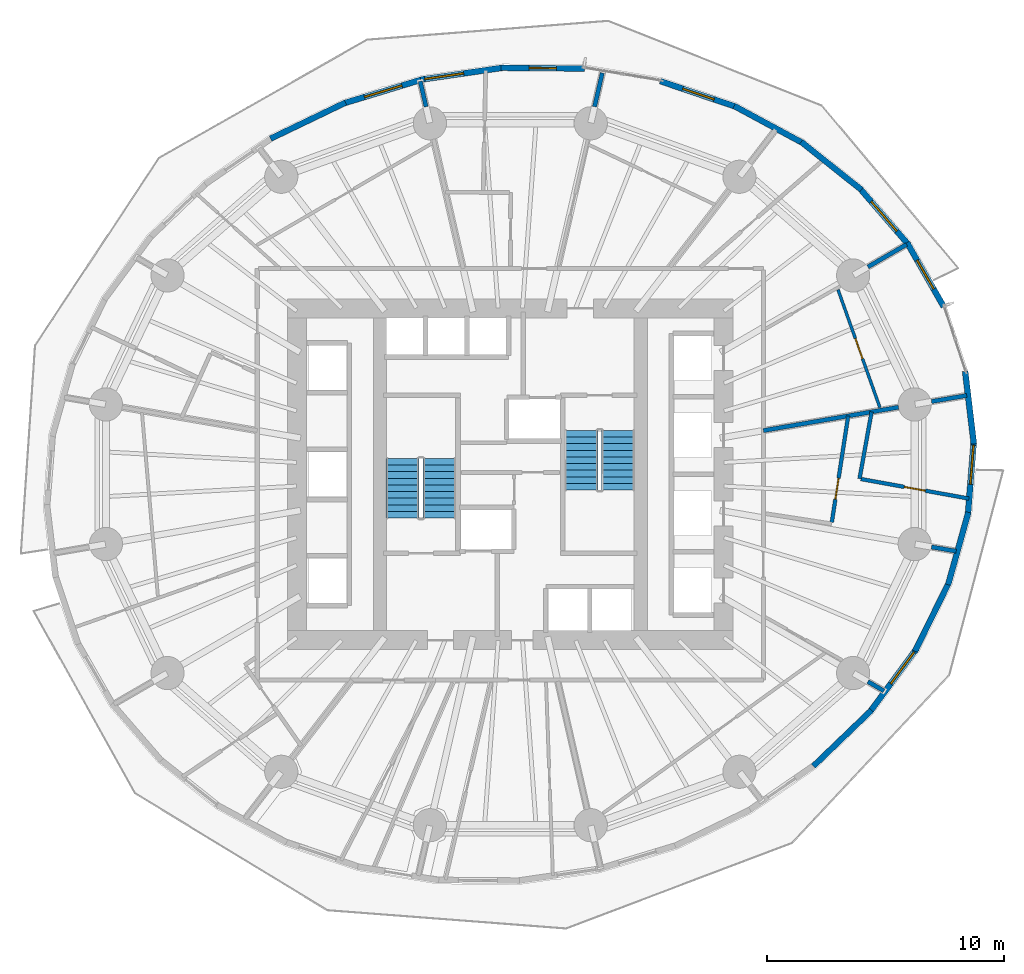
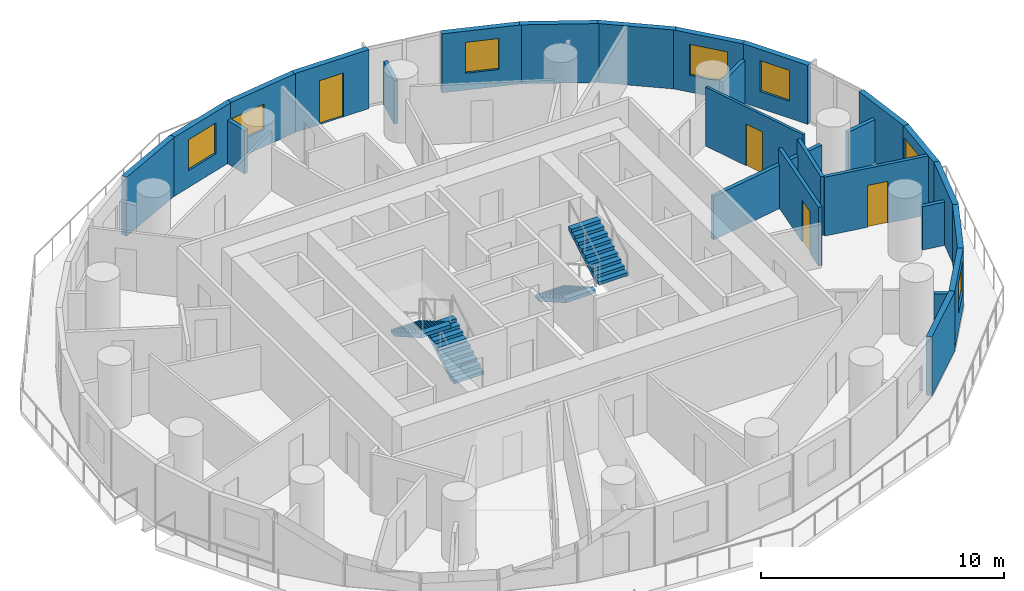
# One storey, part 8 of 13: 26 walls, 7 windows, 4 doors, 4 stair flights, 11 openings, 2 elements without a shape of their own.
"""IFC4 building model written with IfcOpenShell, lengths in metres."""

from ifc_helpers import new_model, si_unit, direction, frame, frame_2d, origin, place, context, subcontext, project, spatial, polyline, rectangle, outline, extrude, material, layer, layer_set, type_object, element, fill, aggregate, save


model = new_model("IFC4")

# Units and contexts
model_context = context("Model", 3, precision=1e-05, world=origin(), true_north=direction((0.0, 1.0)))
body_context = subcontext(model_context, "Body", "Model", "MODEL_VIEW")
ifc_project = project(units=[si_unit("LENGTHUNIT", "METRE"), si_unit("AREAUNIT", "SQUARE_METRE"), si_unit("VOLUMEUNIT", "CUBIC_METRE"), si_unit("PLANEANGLEUNIT", "RADIAN"), si_unit("MASSUNIT", "GRAM", prefix="KILO")], contexts=[model_context])

# Site, building, storey
site_placement = place(None, origin())
site = spatial("IfcSite", under=ifc_project, at=site_placement, CompositionType="ELEMENT")
building_placement = place(site_placement, origin())
building = spatial("IfcBuilding", under=site, at=building_placement, Name="Veldorim Arch Residences", CompositionType="ELEMENT")
storey_placement = place(building_placement, frame((0.0, 0.0, 56.800048828125)))
storey = spatial("IfcBuildingStorey", under=building, at=storey_placement, Name="L16", CompositionType="ELEMENT", Elevation=56.800048828125)

# Wall, opening, door
ifc_material_1 = material(Name="Acoustic Gypsum Board", Category="gypsum")
ifc_layer_1 = layer(ifc_material_1, 0.125, Name="Acoustic Stud Room Partition Wall 125")
ifc_layer_set_1 = layer_set([ifc_layer_1], Name="Acoustic Gypsum Board")
wall_type_1 = type_object("IfcWallType", Name="Acoustic Stud Room Partition Wall 125", PredefinedType="PARTITIONING", material=ifc_layer_set_1)
wall_1_placement = place(storey_placement, frame((45.82958984375, 31.790283203125, 0.0), z_axis=(0.0, 0.0, 1.0), x_axis=(0.334664074365, -0.94233749651, 0.0)))
wall_1 = element("IfcWall", 1, at=wall_1_placement, inside=storey, type_object=wall_type_1, Name="L16 interior wall WL-RES-L16-026", PredefinedType="PARTITIONING", context=body_context, shape_type="SweptSolid", body=[
    extrude(rectangle(XDim=5.282470703125, YDim=0.125, at=frame_2d((2.64111328125, 0.0))), origin(), (0.0, 0.0, 1.0), 2.954833984375),
])
opening_1_placement = place(wall_1_placement, frame((2.191162109375, 0.0, 0.0)))
opening_1 = element("IfcOpeningElement", 2, at=opening_1_placement, cuts=wall_1, Name="Opening DR-INT", PredefinedType="OPENING", context=body_context, shape_type="SweptSolid", body=[
    extrude(rectangle(XDim=0.89990234375, YDim=2.10009765625, at=frame_2d((0.449951171875, 1.050048828125))), frame((0.0, 0.072509765625, 0.0), z_axis=(0.0, -1.0, 0.0), x_axis=(1.0, 0.0, 0.0)), (0.0, 0.0, 1.0), 0.14501953125),
])
ifc_material_2 = material(Name="Engineered Timber", Category="wood")
door_type_1 = type_object("IfcDoorType", Name="Apartment Internal Room Timber Door 900x2100", OperationType="SINGLE_SWING_LEFT", PredefinedType="DOOR", material=ifc_material_2)
door_1_placement = place(opening_1_placement, origin())
door_1 = element("IfcDoor", 3, at=door_1_placement, inside=storey, type_object=door_type_1, Name="L16 interior door DR-RES-L16-014", OperationType="SINGLE_SWING_RIGHT", OverallHeight=2.10009765625, OverallWidth=0.89990234375, PredefinedType="DOOR", context=body_context, shape_type="SweptSolid", body=[
    extrude(rectangle(XDim=0.89990234375, YDim=2.10009765625, at=frame_2d((0.449951171875, 1.050048828125))), frame((0.0, 0.02490234375, 0.0), z_axis=(0.0, -1.0, 0.0), x_axis=(1.0, 0.0, 0.0)), (0.0, 0.0, 1.0), 0.050048828125),
])
fill(opening_1, door_1)

# Walls
ifc_material_3 = material(Name="Lightweight Masonry Block & Gypsum", Category="masonry")
ifc_layer_2 = layer(ifc_material_3, 0.179931640625, Name="Compartment & Corridor Fire-Rated Party Wall 180")
ifc_layer_set_2 = layer_set([ifc_layer_2], Name="Lightweight Masonry Block & Gypsum")
wall_type_2 = type_object("IfcWallType", Name="Compartment & Corridor Fire-Rated Party Wall 180", PredefinedType="PARTITIONING", material=ifc_layer_set_2)
wall_2_placement = place(storey_placement, frame((49.775146484375, 27.068359375, 0.0), z_axis=(0.0, 0.0, 1.0), x_axis=(0.985418960314, 0.170145445587, 0.0)))
element("IfcWall", 4, at=wall_2_placement, inside=storey, type_object=wall_type_2, Name="L16 interior wall WL-PIER-L16-01", PredefinedType="PARTITIONING", context=body_context, shape_type="SweptSolid", body=[
    extrude(rectangle(XDim=1.508056640625, YDim=0.179931640625, at=frame_2d((0.75390625, 0.0))), origin(), (0.0, 0.0, 1.0), 2.17822265625),
])
wall_3_placement = place(storey_placement, frame((47.090576171875, 32.750244140625, 0.0), z_axis=(0.0, 0.0, 1.0), x_axis=(0.865027823723, 0.501723892379, 0.0)))
element("IfcWall", 5, at=wall_3_placement, inside=storey, type_object=wall_type_2, Name="L16 interior wall WL-PIER-L16-02", PredefinedType="PARTITIONING", context=body_context, shape_type="SweptSolid", body=[
    extrude(rectangle(XDim=1.888916015625, YDim=0.179931640625, at=frame_2d((0.9443359375, 0.0))), origin(), (0.0, 0.0, 1.0), 2.17822265625),
])
wall_4_placement = place(storey_placement, frame((35.555419921875, 39.51171875, 0.0), z_axis=(0.0, 0.0, 1.0), x_axis=(0.223491959946, 0.974705772959, 0.0)))
element("IfcWall", 6, at=wall_4_placement, inside=storey, type_object=wall_type_2, Name="L16 interior wall WL-PIER-L16-04", PredefinedType="PARTITIONING", context=body_context, shape_type="SweptSolid", body=[
    extrude(rectangle(XDim=1.46044921875, YDim=0.179931640625, at=frame_2d((0.730224609375, 0.0))), origin(), (0.0, 0.0, 1.0), 2.17822265625),
])
wall_5_placement = place(storey_placement, frame((28.444580078125, 39.51171875, 0.0), z_axis=(0.0, 0.0, 1.0), x_axis=(-0.223512485262, 0.974701066446, 0.0)))
element("IfcWall", 7, at=wall_5_placement, inside=storey, type_object=wall_type_2, Name="L16 interior wall WL-PIER-L16-05", PredefinedType="PARTITIONING", context=body_context, shape_type="SweptSolid", body=[
    extrude(rectangle(XDim=1.098876953125, YDim=0.179931640625, at=frame_2d((0.54931640625, 0.0))), origin(), (0.0, 0.0, 1.0), 2.17822265625),
])
wall_6_placement = place(storey_placement, frame((47.090576171875, 15.249755859375, 0.0), z_axis=(0.0, 0.0, 1.0), x_axis=(0.86504748832, -0.501689986895, 0.0)))
element("IfcWall", 8, at=wall_6_placement, inside=storey, type_object=wall_type_2, Name="L16 interior wall WL-PIER-L16-15", PredefinedType="PARTITIONING", context=body_context, shape_type="SweptSolid", body=[
    extrude(rectangle(XDim=0.780029296875, YDim=0.179931640625, at=frame_2d((0.39013671875, 0.0))), origin(), (0.0, 0.0, 1.0), 2.17822265625),
])
wall_7_placement = place(storey_placement, frame((49.775146484375, 20.931640625, 0.0), z_axis=(0.0, 0.0, 1.0), x_axis=(0.985428074572, -0.17009265077, 0.0)))
element("IfcWall", 9, at=wall_7_placement, inside=storey, type_object=wall_type_2, Name="L16 interior wall WL-PIER-L16-16", PredefinedType="PARTITIONING", context=body_context, shape_type="SweptSolid", body=[
    extrude(rectangle(XDim=1.056396484375, YDim=0.179931640625, at=frame_2d((0.5283203125, 0.0))), origin(), (0.0, 0.0, 1.0), 2.17822265625),
])
wall_8_placement = place(storey_placement, frame((42.679931640625, 25.843505859375, 0.0), z_axis=(0.0, 0.0, 1.0), x_axis=(0.985422105898, 0.170127226534, 0.0)))
element("IfcWall", 10, at=wall_8_placement, inside=storey, type_object=wall_type_2, Name="L16 interior wall WL-RES-L16-021", PredefinedType="PARTITIONING", context=body_context, shape_type="SweptSolid", body=[
    extrude(rectangle(XDim=5.7890625, YDim=0.179931640625, at=frame_2d((2.89453125, 0.0))), origin(), (0.0, 0.0, 1.0), 2.17822265625),
])

# Wall, opening, window
ifc_material_4 = material(Name="Precast concrete C40/50", Category="concrete")
ifc_layer_3 = layer(ifc_material_4, 0.25, Name="Tower Terracotta Spandrel & Pier Wall 250")
ifc_layer_set_3 = layer_set([ifc_layer_3], Name="Precast concrete C40/50")
wall_type_3 = type_object("IfcWallType", Name="Tower Terracotta Spandrel & Pier Wall 250", PredefinedType="SOLIDWALL", material=ifc_layer_set_3)
wall_9_placement = place(storey_placement, frame((48.74365234375, 33.77685546875, 0.0), z_axis=(0.0, 0.0, 1.0), x_axis=(0.496155788519, -0.868233513243, 0.0)))
wall_9 = element("IfcWall", 11, at=wall_9_placement, inside=storey, type_object=wall_type_3, Name="L16 terracotta facade wall 02", PredefinedType="SOLIDWALL", context=body_context, shape_type="SweptSolid", body=[
    extrude(rectangle(XDim=3.12060546875, YDim=0.25, at=frame_2d((1.560302734375, 0.0))), origin(), (0.0, 0.0, 1.0), 2.9599609375),
])
opening_2_placement = place(wall_9_placement, frame((0.860107421875, 0.0, 0.85009765625)))
opening_2 = element("IfcOpeningElement", 12, at=opening_2_placement, cuts=wall_9, Name="Opening WN-02", PredefinedType="OPENING", context=body_context, shape_type="SweptSolid", body=[
    extrude(rectangle(XDim=1.39990234375, YDim=1.550048828125, at=frame_2d((0.699951171875, 0.77490234375))), frame((0.0, 0.135009765625, 0.0), z_axis=(0.0, -1.0, 0.0), x_axis=(1.0, 0.0, 0.0)), (0.0, 0.0, 1.0), 0.27001953125),
])
ifc_material_5 = material(Name="Laminated Low-E Glass", Category="glass")
window_type_1 = type_object("IfcWindowType", Name="Residential Casement Window 1400x1550", PartitioningType="SINGLE_PANEL", PredefinedType="WINDOW", material=ifc_material_5)
window_1_placement = place(opening_2_placement, origin())
window_1 = element("IfcWindow", 13, at=window_1_placement, inside=storey, type_object=window_type_1, Name="L16 solar-control facade window 02", OverallHeight=1.550048828125, OverallWidth=1.39990234375, PartitioningType="SINGLE_PANEL", PredefinedType="WINDOW", context=body_context, shape_type="SweptSolid", body=[
    extrude(rectangle(XDim=1.39990234375, YDim=1.550048828125, at=frame_2d((0.699951171875, 0.77490234375))), frame((0.0, 0.030029296875, 0.0), z_axis=(0.0, -1.0, 0.0), x_axis=(1.0, 0.0, 0.0)), (0.0, 0.0, 1.0), 0.06005859375),
])
fill(opening_2, window_1)

wall_10_placement = place(storey_placement, frame((46.734375, 36.085693359375, 0.0), z_axis=(0.0, 0.0, 1.0), x_axis=(0.653770062489, -0.75669327035, 0.0)))
wall_10 = element("IfcWall", 14, at=wall_10_placement, inside=storey, type_object=wall_type_3, Name="L16 terracotta facade wall 03", PredefinedType="SOLIDWALL", context=body_context, shape_type="SweptSolid", body=[
    extrude(rectangle(XDim=3.173828125, YDim=0.25, at=frame_2d((1.5869140625, 0.0))), origin(), (0.0, 0.0, 1.0), 2.9599609375),
])
opening_3_placement = place(wall_10_placement, frame((0.761962890625, 0.0, 0.85009765625)))
opening_3 = element("IfcOpeningElement", 15, at=opening_3_placement, cuts=wall_10, Name="Opening WN-03", PredefinedType="OPENING", context=body_context, shape_type="SweptSolid", body=[
    extrude(rectangle(XDim=1.64990234375, YDim=1.550048828125, at=frame_2d((0.824951171875, 0.77490234375))), frame((0.0, 0.135009765625, 0.0), z_axis=(0.0, -1.0, 0.0), x_axis=(1.0, 0.0, 0.0)), (0.0, 0.0, 1.0), 0.27001953125),
])
ifc_material_6 = material(Name="Laminated Low-E Glass", Category="glass")
window_type_2 = type_object("IfcWindowType", Name="Residential Wide Window 1650x1550", PartitioningType="SINGLE_PANEL", PredefinedType="WINDOW", material=ifc_material_6)
window_2_placement = place(opening_3_placement, origin())
window_2 = element("IfcWindow", 16, at=window_2_placement, inside=storey, type_object=window_type_2, Name="L16 solar-control facade window 03", OverallHeight=1.550048828125, OverallWidth=1.64990234375, PartitioningType="SINGLE_PANEL", PredefinedType="WINDOW", context=body_context, shape_type="SweptSolid", body=[
    extrude(rectangle(XDim=1.64990234375, YDim=1.550048828125, at=frame_2d((0.824951171875, 0.77490234375))), frame((0.0, 0.030029296875, 0.0), z_axis=(0.0, -1.0, 0.0), x_axis=(1.0, 0.0, 0.0)), (0.0, 0.0, 1.0), 0.06005859375),
])
fill(opening_3, window_2)

# Walls
wall_11_placement = place(storey_placement, frame((44.277587890625, 38.028564453125, 0.0), z_axis=(0.0, 0.0, 1.0), x_axis=(0.78232767864, -0.622867083119, 0.0)))
element("IfcWall", 17, at=wall_11_placement, inside=storey, type_object=wall_type_3, Name="L16 terracotta facade wall 04", PredefinedType="SOLIDWALL", context=body_context, shape_type="SweptSolid", body=[
    extrude(rectangle(XDim=3.244384765625, YDim=0.25, at=frame_2d((1.6220703125, 0.0))), origin(), (0.0, 0.0, 1.0), 2.9599609375),
])
wall_12_placement = place(storey_placement, frame((41.447509765625, 39.54638671875, 0.0), z_axis=(0.0, 0.0, 1.0), x_axis=(0.879811992908, -0.475321845843, 0.0)))
element("IfcWall", 18, at=wall_12_placement, inside=storey, type_object=wall_type_3, Name="L16 terracotta facade wall 05", PredefinedType="SOLIDWALL", context=body_context, shape_type="SweptSolid", body=[
    extrude(rectangle(XDim=3.32275390625, YDim=0.25, at=frame_2d((1.661376953125, 0.0))), origin(), (0.0, 0.0, 1.0), 2.9599609375),
])

# Wall, opening, window
wall_13_placement = place(storey_placement, frame((38.32958984375, 40.592529296875, 0.0), z_axis=(0.0, 0.0, 1.0), x_axis=(0.947149503871, -0.320792483262, 0.0)))
wall_13 = element("IfcWall", 19, at=wall_13_placement, inside=storey, type_object=wall_type_3, Name="L16 terracotta facade wall 06", PredefinedType="SOLIDWALL", context=body_context, shape_type="SweptSolid", body=[
    extrude(rectangle(XDim=3.39892578125, YDim=0.25, at=frame_2d((1.699462890625, 0.0))), origin(), (0.0, 0.0, 1.0), 2.9599609375),
])
opening_4_placement = place(wall_13_placement, frame((1.0, 0.0, 0.85009765625)))
opening_4 = element("IfcOpeningElement", 20, at=opening_4_placement, cuts=wall_13, Name="Opening WN-02", PredefinedType="OPENING", context=body_context, shape_type="SweptSolid", body=[
    extrude(rectangle(XDim=1.39990234375, YDim=1.550048828125, at=frame_2d((0.699951171875, 0.77490234375))), frame((0.0, 0.135009765625, 0.0), z_axis=(0.0, -1.0, 0.0), x_axis=(1.0, 0.0, 0.0)), (0.0, 0.0, 1.0), 0.27001953125),
])
window_3_placement = place(opening_4_placement, origin())
window_3 = element("IfcWindow", 21, at=window_3_placement, inside=storey, type_object=window_type_1, Name="L16 solar-control facade window 06", OverallHeight=1.550048828125, OverallWidth=1.39990234375, PartitioningType="SINGLE_PANEL", PredefinedType="WINDOW", context=body_context, shape_type="SweptSolid", body=[
    extrude(rectangle(XDim=1.39990234375, YDim=1.550048828125, at=frame_2d((0.699951171875, 0.77490234375))), frame((0.0, 0.030029296875, 0.0), z_axis=(0.0, -1.0, 0.0), x_axis=(1.0, 0.0, 0.0)), (0.0, 0.0, 1.0), 0.06005859375),
])
fill(opening_4, window_3)

# Wall, opening, door
wall_14_placement = place(storey_placement, frame((31.6142578125, 41.15625, 0.0), z_axis=(0.0, 0.0, 1.0), x_axis=(0.999961046076, -0.008826456273, 0.0)))
wall_14 = element("IfcWall", 22, at=wall_14_placement, inside=storey, type_object=wall_type_3, Name="L16 terracotta facade wall 08", PredefinedType="SOLIDWALL", context=body_context, shape_type="SweptSolid", body=[
    extrude(rectangle(XDim=3.512939453125, YDim=0.25, at=frame_2d((1.75634765625, 0.0))), origin(), (0.0, 0.0, 1.0), 2.9599609375),
])
opening_5_placement = place(wall_14_placement, frame((1.180908203125, 0.0, 0.0)))
opening_5 = element("IfcOpeningElement", 23, at=opening_5_placement, cuts=wall_14, Name="Opening BL-DR", PredefinedType="OPENING", context=body_context, shape_type="SweptSolid", body=[
    extrude(rectangle(XDim=1.14990234375, YDim=2.199951171875, at=frame_2d((0.574951171875, 1.10009765625))), frame((0.0, 0.135009765625, 0.0), z_axis=(0.0, -1.0, 0.0), x_axis=(1.0, 0.0, 0.0)), (0.0, 0.0, 1.0), 0.27001953125),
])
ifc_material_7 = material(Name="Aluminium & Low-E Glass", Category="aluminium")
door_type_2 = type_object("IfcDoorType", Name="Glazed Planted Balcony Door 1150x2200", OperationType="SINGLE_SWING_LEFT", PredefinedType="DOOR", material=ifc_material_7)
door_2_placement = place(opening_5_placement, origin())
door_2 = element("IfcDoor", 24, at=door_2_placement, inside=storey, type_object=door_type_2, Name="L16 glazed outdoor terrace door BALC-1", OperationType="SINGLE_SWING_RIGHT", OverallHeight=2.199951171875, OverallWidth=1.14990234375, PredefinedType="DOOR", context=body_context, shape_type="SweptSolid", body=[
    extrude(rectangle(XDim=1.14990234375, YDim=2.199951171875, at=frame_2d((0.574951171875, 1.10009765625))), frame((0.0, 0.02490234375, 0.0), z_axis=(0.0, -1.0, 0.0), x_axis=(1.0, 0.0, 0.0)), (0.0, 0.0, 1.0), 0.050048828125),
])
fill(opening_5, door_2)

# Wall, opening, window
wall_15_placement = place(storey_placement, frame((28.22119140625, 40.655517578125, 0.0), z_axis=(0.0, 0.0, 1.0), x_axis=(0.989638017979, 0.143584795051, 0.0)))
wall_15 = element("IfcWall", 25, at=wall_15_placement, inside=storey, type_object=wall_type_3, Name="L16 terracotta facade wall 09", PredefinedType="SOLIDWALL", context=body_context, shape_type="SweptSolid", body=[
    extrude(rectangle(XDim=3.538330078125, YDim=0.25, at=frame_2d((1.76904296875, 0.0))), origin(), (0.0, 0.0, 1.0), 2.9599609375),
])
opening_6_placement = place(wall_15_placement, frame((0.175048828125, 0.0, 0.85009765625)))
opening_6 = element("IfcOpeningElement", 26, at=opening_6_placement, cuts=wall_15, Name="Opening WN-03", PredefinedType="OPENING", context=body_context, shape_type="SweptSolid", body=[
    extrude(rectangle(XDim=1.64990234375, YDim=1.2900390625, at=frame_2d((0.824951171875, 0.64501953125))), frame((0.0, 0.135009765625, 0.0), z_axis=(0.0, -1.0, 0.0), x_axis=(1.0, 0.0, 0.0)), (0.0, 0.0, 1.0), 0.27001953125),
])
window_4_placement = place(opening_6_placement, origin())
window_4 = element("IfcWindow", 27, at=window_4_placement, inside=storey, type_object=window_type_2, Name="L16 solar-control facade window 09", OverallHeight=1.2900390625, OverallWidth=1.64990234375, PartitioningType="SINGLE_PANEL", PredefinedType="WINDOW", context=body_context, shape_type="SweptSolid", body=[
    extrude(rectangle(XDim=1.64990234375, YDim=1.2900390625, at=frame_2d((0.824951171875, 0.64501953125))), frame((0.0, 0.030029296875, 0.0), z_axis=(0.0, -1.0, 0.0), x_axis=(1.0, 0.0, 0.0)), (0.0, 0.0, 1.0), 0.06005859375),
])
fill(opening_6, window_4)

wall_16_placement = place(storey_placement, frame((24.94287109375, 39.64794921875, 0.0), z_axis=(0.0, 0.0, 1.0), x_axis=(0.95658107252, 0.291466381759, 0.0)))
wall_16 = element("IfcWall", 28, at=wall_16_placement, inside=storey, type_object=wall_type_3, Name="L16 terracotta facade wall 10", PredefinedType="SOLIDWALL", context=body_context, shape_type="SweptSolid", body=[
    extrude(rectangle(XDim=3.5380859375, YDim=0.25, at=frame_2d((1.76904296875, 0.0))), origin(), (0.0, 0.0, 1.0), 2.9599609375),
])
opening_7_placement = place(wall_16_placement, frame((0.944091796875, 0.0, 0.85009765625)))
opening_7 = element("IfcOpeningElement", 29, at=opening_7_placement, cuts=wall_16, Name="Opening WN-03", PredefinedType="OPENING", context=body_context, shape_type="SweptSolid", body=[
    extrude(rectangle(XDim=1.64990234375, YDim=1.550048828125, at=frame_2d((0.824951171875, 0.77490234375))), frame((0.0, 0.135009765625, 0.0), z_axis=(0.0, -1.0, 0.0), x_axis=(1.0, 0.0, 0.0)), (0.0, 0.0, 1.0), 0.27001953125),
])
window_5_placement = place(opening_7_placement, origin())
window_5 = element("IfcWindow", 30, at=window_5_placement, inside=storey, type_object=window_type_2, Name="L16 solar-control facade window 10", OverallHeight=1.550048828125, OverallWidth=1.64990234375, PartitioningType="SINGLE_PANEL", PredefinedType="WINDOW", context=body_context, shape_type="SweptSolid", body=[
    extrude(rectangle(XDim=1.64990234375, YDim=1.550048828125, at=frame_2d((0.824951171875, 0.77490234375))), frame((0.0, 0.030029296875, 0.0), z_axis=(0.0, -1.0, 0.0), x_axis=(1.0, 0.0, 0.0)), (0.0, 0.0, 1.0), 0.06005859375),
])
fill(opening_7, window_5)

# Walls
wall_17_placement = place(storey_placement, frame((21.87890625, 38.1640625, 0.0), z_axis=(0.0, 0.0, 1.0), x_axis=(0.901067057596, 0.433679787073, 0.0)))
element("IfcWall", 31, at=wall_17_placement, inside=storey, type_object=wall_type_3, Name="L16 terracotta facade wall 11", PredefinedType="SOLIDWALL", context=body_context, shape_type="SweptSolid", body=[
    extrude(rectangle(XDim=3.5126953125, YDim=0.25, at=frame_2d((1.75634765625, 0.0))), origin(), (0.0, 0.0, 1.0), 2.9599609375),
])
wall_18_placement = place(storey_placement, frame((47.240478515625, 14.0390625, 0.0), z_axis=(0.0, 0.0, 1.0), x_axis=(-0.720340150583, -0.693620982568, 0.0)))
element("IfcWall", 32, at=wall_18_placement, inside=storey, type_object=wall_type_3, Name="L16 terracotta facade wall 31", PredefinedType="SOLIDWALL", context=body_context, shape_type="SweptSolid", body=[
    extrude(rectangle(XDim=3.399169921875, YDim=0.25, at=frame_2d((1.69970703125, 0.0))), origin(), (0.0, 0.0, 1.0), 2.9599609375),
])

# Wall, opening, window
wall_19_placement = place(storey_placement, frame((49.140380859375, 16.62939453125, 0.0), z_axis=(0.0, 0.0, 1.0), x_axis=(-0.593762827217, -0.804640109003, 0.0)))
wall_19 = element("IfcWall", 33, at=wall_19_placement, inside=storey, type_object=wall_type_3, Name="L16 terracotta facade wall 32", PredefinedType="SOLIDWALL", context=body_context, shape_type="SweptSolid", body=[
    extrude(rectangle(XDim=3.32275390625, YDim=0.25, at=frame_2d((1.661376953125, 0.0))), origin(), (0.0, 0.0, 1.0), 2.9599609375),
])
opening_8_placement = place(wall_19_placement, frame((0.175048828125, 0.0, 0.85009765625)))
opening_8 = element("IfcOpeningElement", 34, at=opening_8_placement, cuts=wall_19, Name="Opening WN-03", PredefinedType="OPENING", context=body_context, shape_type="SweptSolid", body=[
    extrude(rectangle(XDim=1.64990234375, YDim=1.550048828125, at=frame_2d((0.824951171875, 0.77490234375))), frame((0.0, 0.135009765625, 0.0), z_axis=(0.0, -1.0, 0.0), x_axis=(1.0, 0.0, 0.0)), (0.0, 0.0, 1.0), 0.27001953125),
])
window_6_placement = place(opening_8_placement, origin())
window_6 = element("IfcWindow", 35, at=window_6_placement, inside=storey, type_object=window_type_2, Name="L16 solar-control facade window 32", OverallHeight=1.550048828125, OverallWidth=1.64990234375, PartitioningType="SINGLE_PANEL", PredefinedType="WINDOW", context=body_context, shape_type="SweptSolid", body=[
    extrude(rectangle(XDim=1.64990234375, YDim=1.550048828125, at=frame_2d((0.824951171875, 0.77490234375))), frame((0.0, 0.030029296875, 0.0), z_axis=(0.0, -1.0, 0.0), x_axis=(1.0, 0.0, 0.0)), (0.0, 0.0, 1.0), 0.06005859375),
])
fill(opening_8, window_6)

# Walls
wall_20_placement = place(storey_placement, frame((50.518310546875, 19.443359375, 0.0), z_axis=(0.0, 0.0, 1.0), x_axis=(-0.44260255462, -0.896717892452, 0.0)))
element("IfcWall", 36, at=wall_20_placement, inside=storey, type_object=wall_type_3, Name="L16 terracotta facade wall 33", PredefinedType="SOLIDWALL", context=body_context, shape_type="SweptSolid", body=[
    extrude(rectangle(XDim=3.24462890625, YDim=0.25, at=frame_2d((1.622314453125, 0.0))), origin(), (0.0, 0.0, 1.0), 2.9599609375),
])
wall_21_placement = place(storey_placement, frame((51.332763671875, 22.394775390625, 0.0), z_axis=(0.0, 0.0, 1.0), x_axis=(-0.269353183383, -0.963041464632, 0.0)))
element("IfcWall", 37, at=wall_21_placement, inside=storey, type_object=wall_type_3, Name="L16 terracotta facade wall 34", PredefinedType="SOLIDWALL", context=body_context, shape_type="SweptSolid", body=[
    extrude(rectangle(XDim=3.17431640625, YDim=0.25, at=frame_2d((1.587158203125, 0.0))), origin(), (0.0, 0.0, 1.0), 2.9599609375),
])

# Wall, opening, window
wall_22_placement = place(storey_placement, frame((51.56005859375, 25.3935546875, 0.0), z_axis=(0.0, 0.0, 1.0), x_axis=(-0.079173066737, -0.996860885733, 0.0)))
wall_22 = element("IfcWall", 38, at=wall_22_placement, inside=storey, type_object=wall_type_3, Name="L16 terracotta facade wall 35", PredefinedType="SOLIDWALL", context=body_context, shape_type="SweptSolid", body=[
    extrude(rectangle(XDim=3.12060546875, YDim=0.25, at=frame_2d((1.560302734375, 0.0))), origin(), (0.0, 0.0, 1.0), 2.9599609375),
])
opening_9_placement = place(wall_22_placement, frame((0.175048828125, 0.0, 0.85009765625)))
opening_9 = element("IfcOpeningElement", 39, at=opening_9_placement, cuts=wall_22, Name="Opening WN-03", PredefinedType="OPENING", context=body_context, shape_type="SweptSolid", body=[
    extrude(rectangle(XDim=1.64990234375, YDim=1.550048828125, at=frame_2d((0.824951171875, 0.77490234375))), frame((0.0, 0.135009765625, 0.0), z_axis=(0.0, -1.0, 0.0), x_axis=(1.0, 0.0, 0.0)), (0.0, 0.0, 1.0), 0.27001953125),
])
window_7_placement = place(opening_9_placement, origin())
window_7 = element("IfcWindow", 40, at=window_7_placement, inside=storey, type_object=window_type_2, Name="L16 solar-control facade window 35", OverallHeight=1.550048828125, OverallWidth=1.64990234375, PartitioningType="SINGLE_PANEL", PredefinedType="WINDOW", context=body_context, shape_type="SweptSolid", body=[
    extrude(rectangle(XDim=1.64990234375, YDim=1.550048828125, at=frame_2d((0.824951171875, 0.77490234375))), frame((0.0, 0.030029296875, 0.0), z_axis=(0.0, -1.0, 0.0), x_axis=(1.0, 0.0, 0.0)), (0.0, 0.0, 1.0), 0.06005859375),
])
fill(opening_9, window_7)

# Walls
wall_23_placement = place(storey_placement, frame((51.193603515625, 28.34912109375, 0.0), z_axis=(0.0, 0.0, 1.0), x_axis=(0.119310240224, -0.992857022223, 0.0)))
element("IfcWall", 41, at=wall_23_placement, inside=storey, type_object=wall_type_3, Name="L16 terracotta facade wall 36", PredefinedType="SOLIDWALL", context=body_context, shape_type="SweptSolid", body=[
    extrude(rectangle(XDim=3.091796875, YDim=0.25, at=frame_2d((1.5458984375, 0.0))), origin(), (0.0, 0.0, 1.0), 2.9599609375),
])
ifc_material_8 = material(Name="Moisture-Resistant Gypsum & Stud", Category="gypsum")
ifc_layer_4 = layer(ifc_material_8, 0.159912109375, Name="Wet-Area Moisture-Resistant Plumbing Wall 160")
ifc_layer_set_4 = layer_set([ifc_layer_4], Name="Moisture-Resistant Gypsum & Stud")
wall_type_4 = type_object("IfcWallType", Name="Wet-Area Moisture-Resistant Plumbing Wall 160", PredefinedType="PLUMBINGWALL", material=ifc_layer_set_4)
wall_24_placement = place(storey_placement, frame((47.247802734375, 26.632080078125, 0.0), z_axis=(0.0, 0.0, 1.0), x_axis=(-0.1781964362, -0.983994933994, 0.0)))
element("IfcWall", 42, at=wall_24_placement, inside=storey, type_object=wall_type_4, Name="L16 interior wall WL-RES-L16-016", PredefinedType="PLUMBINGWALL", context=body_context, shape_type="SweptSolid", body=[
    extrude(rectangle(XDim=2.868896484375, YDim=0.159912109375, at=frame_2d((1.4345703125, 0.0))), origin(), (0.0, 0.0, 1.0), 2.954833984375),
])

# Wall, opening, door
wall_25_placement = place(storey_placement, frame((46.795654296875, 23.798583984375, 0.0), z_axis=(0.0, 0.0, 1.0), x_axis=(0.983988618973, -0.178231304015, 0.0)))
wall_25 = element("IfcWall", 43, at=wall_25_placement, inside=storey, type_object=wall_type_4, Name="L16 interior wall WL-RES-L16-017", PredefinedType="PLUMBINGWALL", context=body_context, shape_type="SweptSolid", body=[
    extrude(rectangle(XDim=4.63134765625, YDim=0.159912109375, at=frame_2d((2.315673828125, 0.0))), origin(), (0.0, 0.0, 1.0), 2.954833984375),
])
opening_10_placement = place(wall_25_placement, frame((1.86572265625, 0.0, 0.0)))
opening_10 = element("IfcOpeningElement", 44, at=opening_10_placement, cuts=wall_25, Name="Opening DR-WC", PredefinedType="OPENING", context=body_context, shape_type="SweptSolid", body=[
    extrude(rectangle(XDim=0.89990234375, YDim=2.10009765625, at=frame_2d((0.449951171875, 1.050048828125))), frame((0.0, 0.08984375, 0.0), z_axis=(0.0, -1.0, 0.0), x_axis=(1.0, 0.0, 0.0)), (0.0, 0.0, 1.0), 0.179931640625),
])
ifc_material_9 = material(Name="Laminate Timber", Category="wood")
door_type_3 = type_object("IfcDoorType", Name="Bathroom & Accessible WC Moisture-Sealed Door 900x2100", OperationType="SINGLE_SWING_LEFT", PredefinedType="DOOR", material=ifc_material_9)
door_3_placement = place(opening_10_placement, origin())
door_3 = element("IfcDoor", 45, at=door_3_placement, inside=storey, type_object=door_type_3, Name="L16 interior door DR-RES-L16-007", OperationType="SINGLE_SWING_LEFT", OverallHeight=2.10009765625, OverallWidth=0.89990234375, PredefinedType="DOOR", context=body_context, shape_type="SweptSolid", body=[
    extrude(rectangle(XDim=0.89990234375, YDim=2.10009765625, at=frame_2d((0.449951171875, 1.050048828125))), frame((0.0, 0.02490234375, 0.0), z_axis=(0.0, -1.0, 0.0), x_axis=(1.0, 0.0, 0.0)), (0.0, 0.0, 1.0), 0.050048828125),
])
fill(opening_10, door_3)

wall_26_placement = place(storey_placement, frame((45.567138671875, 21.96875, 0.0), z_axis=(0.0, 0.0, 1.0), x_axis=(0.152061220482, 0.988371076684, 0.0)))
wall_26 = element("IfcWall", 46, at=wall_26_placement, inside=storey, type_object=wall_type_4, Name="L16 interior wall WL-RES-L16-020", PredefinedType="PLUMBINGWALL", context=body_context, shape_type="SweptSolid", body=[
    extrude(rectangle(XDim=4.54541015625, YDim=0.159912109375, at=frame_2d((2.272705078125, 0.0))), origin(), (0.0, 0.0, 1.0), 2.954833984375),
])
opening_11_placement = place(wall_26_placement, frame((0.982666015625, 0.0, 0.0)))
opening_11 = element("IfcOpeningElement", 47, at=opening_11_placement, cuts=wall_26, Name="Opening DR-INT", PredefinedType="OPENING", context=body_context, shape_type="SweptSolid", body=[
    extrude(rectangle(XDim=0.89990234375, YDim=2.10009765625, at=frame_2d((0.449951171875, 1.050048828125))), frame((0.0, 0.08984375, 0.0), z_axis=(0.0, -1.0, 0.0), x_axis=(1.0, 0.0, 0.0)), (0.0, 0.0, 1.0), 0.179931640625),
])
door_4_placement = place(opening_11_placement, origin())
door_4 = element("IfcDoor", 48, at=door_4_placement, inside=storey, type_object=door_type_1, Name="L16 interior door DR-RES-L16-010", OperationType="SINGLE_SWING_RIGHT", OverallHeight=2.10009765625, OverallWidth=0.89990234375, PredefinedType="DOOR", context=body_context, shape_type="SweptSolid", body=[
    extrude(rectangle(XDim=0.89990234375, YDim=2.10009765625, at=frame_2d((0.449951171875, 1.050048828125))), frame((0.0, 0.02490234375, 0.0), z_axis=(0.0, -1.0, 0.0), x_axis=(1.0, 0.0, 0.0)), (0.0, 0.0, 1.0), 0.050048828125),
])
fill(opening_11, door_4)

# Stair, stair flights
ifc_material_10 = material(Name="Concrete C40/50", Category="concrete")
stair_type = type_object("IfcStairType", Name="Reinforced Concrete Dogleg Exit Staircase", PredefinedType="HALF_TURN_STAIR", material=ifc_material_10)
stair_1_placement = place(storey_placement, origin())
stair_1 = element("IfcStair", 49, at=stair_1_placement, inside=storey, type_object=stair_type, Name="L16 Exit Staircase ST-1", PredefinedType="HALF_TURN_STAIR")
ifc_material_11 = material(Name="Concrete C40/50", Category="concrete")
stair_flight_type = type_object("IfcStairFlightType", Name="Reinforced Concrete Stair Flight 1400", PredefinedType="STRAIGHT", material=ifc_material_11)
stair_flight_1_placement = place(storey_placement, frame((29.010009765625, 22.14990234375, 0.0), z_axis=(0.0, 0.0, 1.0), x_axis=(0.0, 1.0, 0.0)))
stair_flight_1 = element("IfcStairFlight", 50, at=stair_flight_1_placement, type_object=stair_flight_type, Name="ST-1 flight 1", NumberOfRisers=10, NumberOfTreads=9, PredefinedType="STRAIGHT", RiserHeight=0.16, TreadLength=0.28, context=body_context, shape_type="SweptSolid", body=[
    extrude(outline(polyline([(0.0, 0.0), (0.0, 0.159912109375), (0.280029296875, 0.159912109375), (0.280029296875, 0.320068359375), (0.56005859375, 0.320068359375), (0.56005859375, 0.47998046875), (0.840087890625, 0.47998046875), (0.840087890625, 0.639892578125), (1.1201171875, 0.639892578125), (1.1201171875, 0.800048828125), (1.39990234375, 0.800048828125), (1.39990234375, 0.9599609375), (1.679931640625, 0.9599609375), (1.679931640625, 1.1201171875), (1.9599609375, 1.1201171875), (1.9599609375, 1.280029296875), (2.239990234375, 1.280029296875), (2.239990234375, 1.43994140625), (2.52001953125, 1.43994140625), (2.52001953125, 1.60009765625), (2.52001953125, 1.255859375), (0.322265625, 0.0), (0.0, 0.0)])), frame((0.0, 0.699951171875, 0.0), z_axis=(0.0, -1.0, 0.0), x_axis=(1.0, 0.0, 0.0)), (0.0, 0.0, 1.0), 1.39990234375),
])
stair_flight_2_placement = place(storey_placement, frame((27.449951171875, 24.669921875, 1.599853515625), z_axis=(0.0, 0.0, 1.0), x_axis=(0.0, -1.0, 0.0)))
stair_flight_2 = element("IfcStairFlight", 51, at=stair_flight_2_placement, type_object=stair_flight_type, Name="ST-1 flight 2", NumberOfRisers=10, NumberOfTreads=9, PredefinedType="STRAIGHT", RiserHeight=0.16, TreadLength=0.28, context=body_context, shape_type="SweptSolid", body=[
    extrude(outline(polyline([(0.0, 0.0), (0.0, 0.159912109375), (0.280029296875, 0.159912109375), (0.280029296875, 0.320068359375), (0.56005859375, 0.320068359375), (0.56005859375, 0.47998046875), (0.840087890625, 0.47998046875), (0.840087890625, 0.639892578125), (1.1201171875, 0.639892578125), (1.1201171875, 0.800048828125), (1.39990234375, 0.800048828125), (1.39990234375, 0.9599609375), (1.679931640625, 0.9599609375), (1.679931640625, 1.1201171875), (1.9599609375, 1.1201171875), (1.9599609375, 1.280029296875), (2.239990234375, 1.280029296875), (2.239990234375, 1.43994140625), (2.52001953125, 1.43994140625), (2.52001953125, 1.60009765625), (2.52001953125, 1.255859375), (0.322265625, 0.0), (0.0, 0.0)])), frame((0.0, 0.699951171875, 0.0), z_axis=(0.0, -1.0, 0.0), x_axis=(1.0, 0.0, 0.0)), (0.0, 0.0, 1.0), 1.39990234375),
])
aggregate(stair_1, [stair_flight_1, stair_flight_2])

stair_2_placement = place(storey_placement, origin())
stair_2 = element("IfcStair", 52, at=stair_2_placement, inside=storey, type_object=stair_type, Name="L16 Exit Staircase ST-2", PredefinedType="HALF_TURN_STAIR")
stair_flight_3_placement = place(storey_placement, frame((34.989990234375, 25.85009765625, 0.0), z_axis=(0.0, 0.0, 1.0), x_axis=(0.0, -1.0, 0.0)))
stair_flight_3 = element("IfcStairFlight", 53, at=stair_flight_3_placement, type_object=stair_flight_type, Name="ST-2 flight 1", NumberOfRisers=10, NumberOfTreads=9, PredefinedType="STRAIGHT", RiserHeight=0.16, TreadLength=0.28, context=body_context, shape_type="SweptSolid", body=[
    extrude(outline(polyline([(0.0, 0.0), (0.0, 0.159912109375), (0.280029296875, 0.159912109375), (0.280029296875, 0.320068359375), (0.56005859375, 0.320068359375), (0.56005859375, 0.47998046875), (0.840087890625, 0.47998046875), (0.840087890625, 0.639892578125), (1.1201171875, 0.639892578125), (1.1201171875, 0.800048828125), (1.39990234375, 0.800048828125), (1.39990234375, 0.9599609375), (1.679931640625, 0.9599609375), (1.679931640625, 1.1201171875), (1.9599609375, 1.1201171875), (1.9599609375, 1.280029296875), (2.239990234375, 1.280029296875), (2.239990234375, 1.43994140625), (2.52001953125, 1.43994140625), (2.52001953125, 1.60009765625), (2.52001953125, 1.255859375), (0.322265625, 0.0), (0.0, 0.0)])), frame((0.0, 0.699951171875, 0.0), z_axis=(0.0, -1.0, 0.0), x_axis=(1.0, 0.0, 0.0)), (0.0, 0.0, 1.0), 1.39990234375),
])
stair_flight_4_placement = place(storey_placement, frame((36.550048828125, 23.330078125, 1.599853515625), z_axis=(0.0, 0.0, 1.0), x_axis=(0.0, 1.0, 0.0)))
stair_flight_4 = element("IfcStairFlight", 54, at=stair_flight_4_placement, type_object=stair_flight_type, Name="ST-2 flight 2", NumberOfRisers=10, NumberOfTreads=9, PredefinedType="STRAIGHT", RiserHeight=0.16, TreadLength=0.28, context=body_context, shape_type="SweptSolid", body=[
    extrude(outline(polyline([(0.0, 0.0), (0.0, 0.159912109375), (0.280029296875, 0.159912109375), (0.280029296875, 0.320068359375), (0.56005859375, 0.320068359375), (0.56005859375, 0.47998046875), (0.840087890625, 0.47998046875), (0.840087890625, 0.639892578125), (1.1201171875, 0.639892578125), (1.1201171875, 0.800048828125), (1.39990234375, 0.800048828125), (1.39990234375, 0.9599609375), (1.679931640625, 0.9599609375), (1.679931640625, 1.1201171875), (1.9599609375, 1.1201171875), (1.9599609375, 1.280029296875), (2.239990234375, 1.280029296875), (2.239990234375, 1.43994140625), (2.52001953125, 1.43994140625), (2.52001953125, 1.60009765625), (2.52001953125, 1.255859375), (0.322265625, 0.0), (0.0, 0.0)])), frame((0.0, 0.699951171875, 0.0), z_axis=(0.0, -1.0, 0.0), x_axis=(1.0, 0.0, 0.0)), (0.0, 0.0, 1.0), 1.39990234375),
])
aggregate(stair_2, [stair_flight_3, stair_flight_4])

save(model, "model.ifc")
